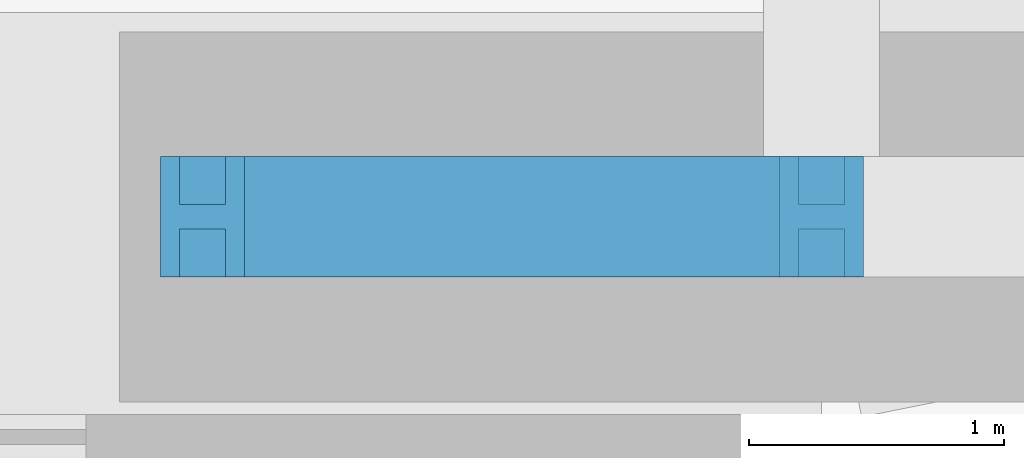
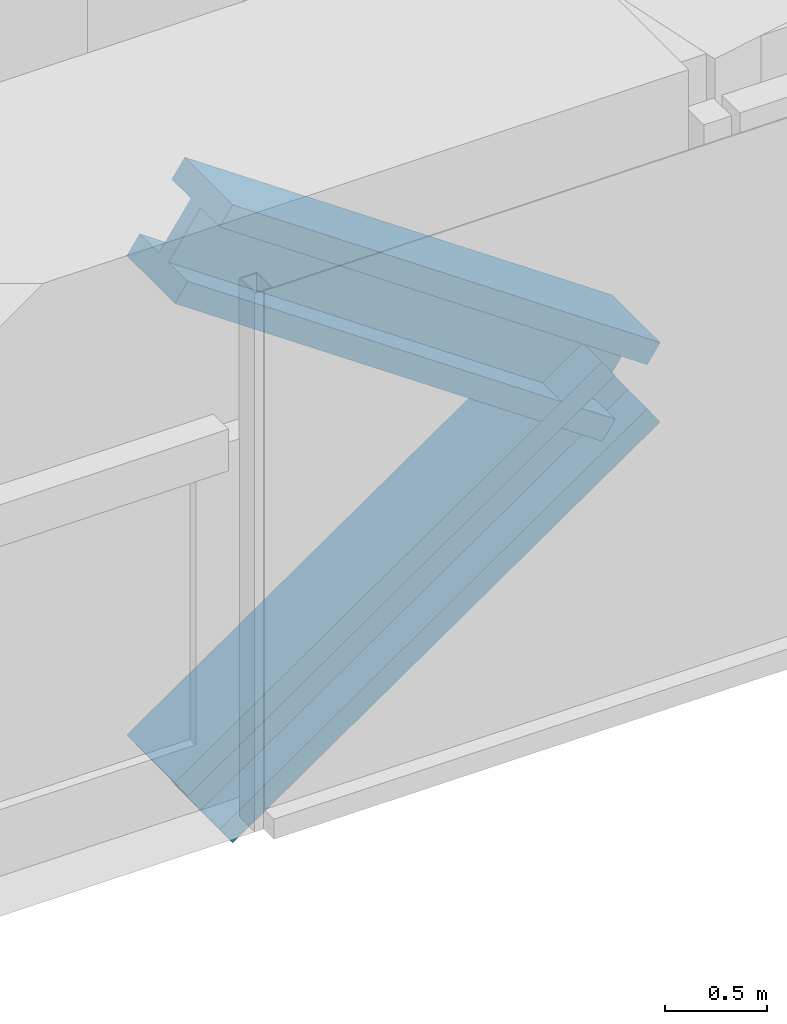
# One storey, part 6 of 24: 2 members.
"""IFC4 building model written with IfcOpenShell, lengths in metres."""

from ifc_helpers import new_model, si_unit, direction, frame, origin, origin_2d, place, context, subcontext, project, spatial, i_section, extrude, material, material_profile, profile_set, type_object, element, save


model = new_model("IFC4")

# Units and contexts
model_context = context("Model", 3, precision=1e-05, world=origin(), true_north=direction((0.0, 1.0)))
body_context = subcontext(model_context, "Body", "Model", "MODEL_VIEW")
ifc_project = project(units=[si_unit("LENGTHUNIT", "METRE"), si_unit("AREAUNIT", "SQUARE_METRE"), si_unit("VOLUMEUNIT", "CUBIC_METRE"), si_unit("PLANEANGLEUNIT", "RADIAN"), si_unit("MASSUNIT", "GRAM", prefix="KILO")], contexts=[model_context])

# Site, building, storey
site_placement = place(None, origin())
site = spatial("IfcSite", under=ifc_project, at=site_placement, CompositionType="ELEMENT")
building_placement = place(site_placement, origin())
building = spatial("IfcBuilding", under=site, at=building_placement, Name="Jalousie Tower", CompositionType="ELEMENT")
storey_placement = place(building_placement, frame((0.0, 0.0, 47.800048828125)))
storey = spatial("IfcBuildingStorey", under=building, at=storey_placement, Name="L12", CompositionType="ELEMENT", Elevation=47.800048828125)

# Members
ifc_material = material(Name="Steel ASTM A992 Grade 50", Category="steel")
ifc_material_profile = material_profile(ifc_material, i_section(OverallWidth=0.472412109375, OverallDepth=0.5791015625, WebThickness=0.094970703125, FlangeThickness=0.1298828125, at=origin_2d()), Name="W14X808")
ifc_profile_set = profile_set([ifc_material_profile], Name="Steel ASTM A992 Grade 50")
member_type = type_object("IfcMemberType", Name="PERIMETER BRACE W14X808", PredefinedType="BRACE", material=ifc_profile_set)
for number, where, z_axis, x_axis, name in (
    (1, (32.574951171875, 0.949951171875, -0.60009765625), (0.822800062329, 0.0, 0.568330940062), (0.0, 1.0, 0.0), "Perimeter brace 04 L12 part 1"),
    (2, (35.0, 0.949951171875, 1.074951171875), (-0.822800062329, 0.0, 0.568330940062), (0.0, -1.0, 0.0), "Perimeter brace 04 L12 part 4"),
):
    element("IfcMember", number, at=place(storey_placement, frame(where, z_axis=z_axis, x_axis=x_axis)), inside=storey, type_object=member_type, Name=name, PredefinedType="BRACE", context=body_context, shape_type="SweptSolid", body=[
        extrude(i_section(OverallWidth=0.472412109375, OverallDepth=0.5791015625, WebThickness=0.094970703125, FlangeThickness=0.1298828125, at=origin_2d()), origin(), (0.0, 0.0, 1.0), 2.947265625),
    ])

save(model, "model.ifc")
